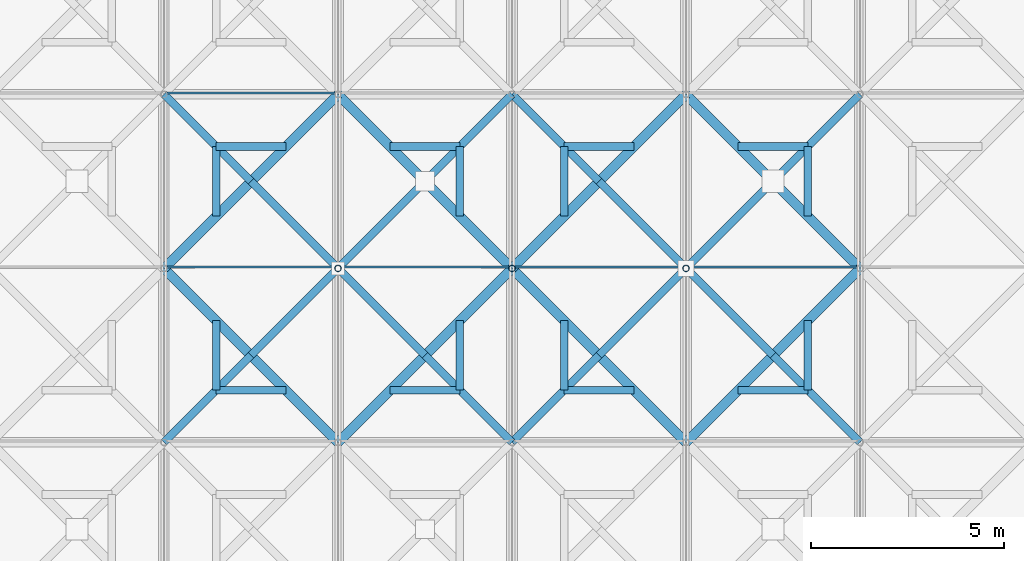
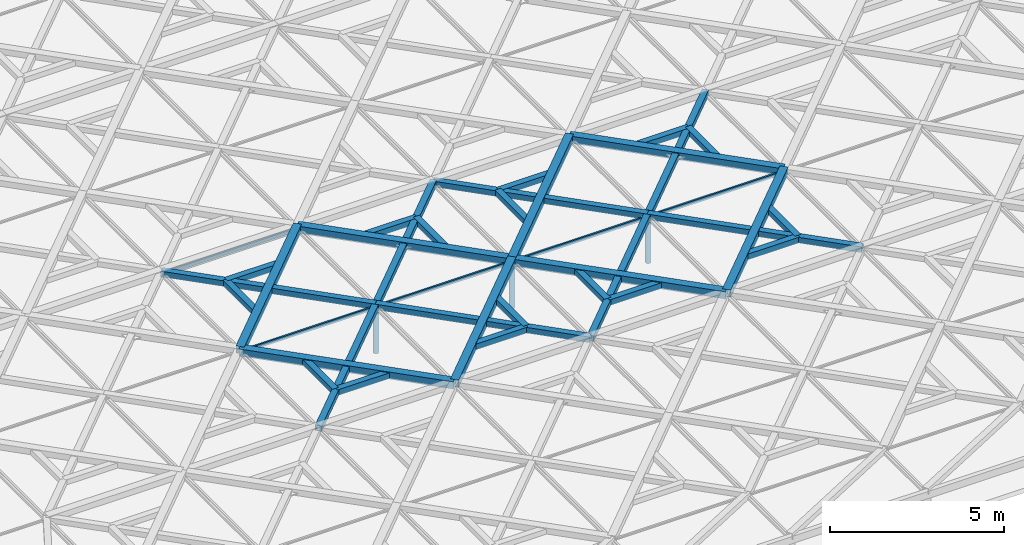
# One storey, part 25 of 80: 46 members, 4 elements without a shape of their own.
"""IFC4 building model written with IfcOpenShell, lengths in metres."""

from ifc_helpers import new_model, si_unit, direction, frame, origin, origin_2d, place, context, subcontext, project, spatial, rectangle, hollow_rectangle, hollow_circle, extrude, material, material_profile, profile_set, type_object, element, aggregate, save


model = new_model("IFC4")

# Units and contexts
model_context = context("Model", 3, precision=1e-05, world=origin(), true_north=direction((0.0, 1.0)))
body_context = subcontext(model_context, "Body", "Model", "MODEL_VIEW")
ifc_project = project(units=[si_unit("LENGTHUNIT", "METRE"), si_unit("AREAUNIT", "SQUARE_METRE"), si_unit("VOLUMEUNIT", "CUBIC_METRE"), si_unit("PLANEANGLEUNIT", "RADIAN"), si_unit("MASSUNIT", "GRAM", prefix="KILO"), si_unit("THERMODYNAMICTEMPERATUREUNIT", "KELVIN"), si_unit("POWERUNIT", "WATT")], contexts=[model_context])

# Site, building, storey
site_placement = place(None, origin())
site = spatial("IfcSite", under=ifc_project, at=site_placement, CompositionType="ELEMENT")
building_placement = place(site_placement, origin())
building = spatial("IfcBuilding", under=site, at=building_placement, Name="Tallowbark Science Centre", CompositionType="ELEMENT")
storey_placement = place(building_placement, frame((0.0, 0.0, 25.949951171875)))
storey = spatial("IfcBuildingStorey", under=building, at=storey_placement, Name="ROOF", CompositionType="ELEMENT", Elevation=25.949951171875)

# Curtain wall, members
ifc_material_1 = material(Name="Blue-Tinted Laminated Low-E Skylight Glass", Category="glass")
curtain_wall_type = type_object("IfcCurtainWallType", Name="CW-SKY-ROOF", PredefinedType="NOTDEFINED", material=ifc_material_1)
curtain_wall_1_placement = place(storey_placement, origin())
curtain_wall_1 = element("IfcCurtainWall", 1, at=curtain_wall_1_placement, inside=storey, type_object=curtain_wall_type, Name="Exhibition Star-Screen Skylight Bay 4", PredefinedType="NOTDEFINED")
ifc_material_2 = material(Name="Anodised Architectural Aluminium Alloy 6063-T6", Category="aluminium")
ifc_material_profile_1 = material_profile(ifc_material_2, rectangle(XDim=0.054931640625, YDim=0.1201171875, at=origin_2d()), Name="ALU55x120")
ifc_profile_set_1 = profile_set([ifc_material_profile_1], Name="Anodised Architectural Aluminium Alloy 6063-T6")
member_type_1 = type_object("IfcMemberType", Name="CWM-SKY-TRN", PredefinedType="USERDEFINED", material=ifc_profile_set_1)
member_1_placement = place(storey_placement, frame((67.580078125, 18.0400390625, 0.35205078125), z_axis=(1.0, 0.0, 0.0), x_axis=(0.0, 1.0, 0.0)))
member_1 = element("IfcMember", 2, at=member_1_placement, type_object=member_type_1, Name="Skylight Bay 4 Transom 5", ObjectType="TRANSOM", PredefinedType="USERDEFINED", context=body_context, shape_type="SweptSolid", body=[
    extrude(rectangle(XDim=0.054931640625, YDim=0.1201171875, at=origin_2d()), origin(), (0.0, 0.0, 1.0), 4.33984375),
])
member_2_placement = place(storey_placement, frame((67.580078125, 22.5400390625, 0.35205078125), z_axis=(1.0, 0.0, 0.0), x_axis=(0.0, 1.0, 0.0)))
member_2 = element("IfcMember", 3, at=member_2_placement, type_object=member_type_1, Name="Skylight Bay 4 Transom 6", ObjectType="TRANSOM", PredefinedType="USERDEFINED", context=body_context, shape_type="SweptSolid", body=[
    extrude(rectangle(XDim=0.054931640625, YDim=0.1201171875, at=origin_2d()), origin(), (0.0, 0.0, 1.0), 4.33984375),
])
aggregate(curtain_wall_1, [member_1, member_2])

# Curtain wall, member
curtain_wall_2_placement = place(storey_placement, origin())
curtain_wall_2 = element("IfcCurtainWall", 4, at=curtain_wall_2_placement, inside=storey, type_object=curtain_wall_type, Name="Exhibition Star-Screen Skylight Bay 5", PredefinedType="NOTDEFINED")
member_3_placement = place(storey_placement, frame((72.080078125, 18.0400390625, 0.35205078125), z_axis=(1.0, 0.0, 0.0), x_axis=(0.0, 1.0, 0.0)))
member_3 = element("IfcMember", 5, at=member_3_placement, type_object=member_type_1, Name="Skylight Bay 5 Transom 5", ObjectType="TRANSOM", PredefinedType="USERDEFINED", context=body_context, shape_type="SweptSolid", body=[
    extrude(rectangle(XDim=0.054931640625, YDim=0.1201171875, at=origin_2d()), origin(), (0.0, 0.0, 1.0), 4.33984375),
])
aggregate(curtain_wall_2, [member_3])

curtain_wall_3_placement = place(storey_placement, origin())
curtain_wall_3 = element("IfcCurtainWall", 6, at=curtain_wall_3_placement, inside=storey, type_object=curtain_wall_type, Name="Exhibition Star-Screen Skylight Bay 6", PredefinedType="NOTDEFINED")
member_4_placement = place(storey_placement, frame((76.580078125, 18.0400390625, 0.35205078125), z_axis=(1.0, 0.0, 0.0), x_axis=(0.0, 1.0, 0.0)))
member_4 = element("IfcMember", 7, at=member_4_placement, type_object=member_type_1, Name="Skylight Bay 6 Transom 5", ObjectType="TRANSOM", PredefinedType="USERDEFINED", context=body_context, shape_type="SweptSolid", body=[
    extrude(rectangle(XDim=0.054931640625, YDim=0.1201171875, at=origin_2d()), origin(), (0.0, 0.0, 1.0), 4.33984375),
])
aggregate(curtain_wall_3, [member_4])

curtain_wall_4_placement = place(storey_placement, origin())
curtain_wall_4 = element("IfcCurtainWall", 8, at=curtain_wall_4_placement, inside=storey, type_object=curtain_wall_type, Name="Exhibition Star-Screen Skylight Bay 7", PredefinedType="NOTDEFINED")
member_5_placement = place(storey_placement, frame((81.080078125, 18.0400390625, 0.35205078125), z_axis=(1.0, 0.0, 0.0), x_axis=(0.0, 1.0, 0.0)))
member_5 = element("IfcMember", 9, at=member_5_placement, type_object=member_type_1, Name="Skylight Bay 7 Transom 5", ObjectType="TRANSOM", PredefinedType="USERDEFINED", context=body_context, shape_type="SweptSolid", body=[
    extrude(rectangle(XDim=0.054931640625, YDim=0.1201171875, at=origin_2d()), origin(), (0.0, 0.0, 1.0), 4.33984375),
])
aggregate(curtain_wall_4, [member_5])

# Members
ifc_material_3 = material(Name="White Architectural Painted Steel Grade C350L0 (350 MPa)", Category="steel")
ifc_material_profile_2 = material_profile(ifc_material_3, hollow_rectangle(XDim=0.25, YDim=0.25, WallThickness=0.009033203125, at=origin_2d()), Name="250x250x9.0SHS")
ifc_profile_set_2 = profile_set([ifc_material_profile_2], Name="White Architectural Painted Steel Grade C350L0 (350 MPa)")
member_type_2 = type_object("IfcMemberType", Name="SCR-CHD200", PredefinedType="CHORD", material=ifc_profile_set_2)
for number, where, z_axis, x_axis, name in (
    (10, (72.0, 13.5, 0.449951171875), (0.707106781187, 0.707106781187, 0.0), (-0.707106781187, 0.707106781187, 0.0), "Star Screen Octagram Diamond Chord TOP-59-1"),
    (11, (76.5, 18.0, 0.449951171875), (-0.707106781187, 0.707106781187, 0.0), (-0.707106781187, -0.707106781187, 0.0), "Star Screen Octagram Diamond Chord TOP-59-2"),
    (12, (72.0, 22.5, 0.449951171875), (-0.707106781187, -0.707106781187, 0.0), (0.707106781187, -0.707106781187, 0.0), "Star Screen Octagram Diamond Chord TOP-59-3"),
    (13, (67.5, 18.0, 0.449951171875), (0.707106781187, -0.707106781187, 0.0), (0.707106781187, 0.707106781187, 0.0), "Star Screen Octagram Diamond Chord TOP-59-4"),
    (14, (81.0, 13.5, 0.449951171875), (0.707106781187, 0.707106781187, 0.0), (-0.707106781187, 0.707106781187, 0.0), "Star Screen Octagram Diamond Chord TOP-63-1"),
    (15, (85.5, 18.0, 0.449951171875), (-0.707106781187, 0.707106781187, 0.0), (-0.707106781187, -0.707106781187, 0.0), "Star Screen Octagram Diamond Chord TOP-63-2"),
    (16, (81.0, 22.5, 0.449951171875), (-0.707106781187, -0.707106781187, 0.0), (0.707106781187, -0.707106781187, 0.0), "Star Screen Octagram Diamond Chord TOP-63-3"),
    (17, (76.5, 18.0, 0.449951171875), (0.707106781187, -0.707106781187, 0.0), (0.707106781187, 0.707106781187, 0.0), "Star Screen Octagram Diamond Chord TOP-63-4"),
):
    element("IfcMember", number, at=place(storey_placement, frame(where, z_axis=z_axis, x_axis=x_axis)), inside=storey, type_object=member_type_2, Name=name, PredefinedType="CHORD", context=body_context, shape_type="SweptSolid", body=[
        extrude(hollow_rectangle(XDim=0.25, YDim=0.25, WallThickness=0.009033203125, at=origin_2d()), origin(), (0.0, 0.0, 1.0), 6.364013671875),
    ])
ifc_material_profile_3 = material_profile(ifc_material_3, hollow_rectangle(XDim=0.199951171875, YDim=0.199951171875, WallThickness=0.009033203125, at=origin_2d()), Name="200x200x9.0SHS")
ifc_profile_set_3 = profile_set([ifc_material_profile_3], Name="White Architectural Painted Steel Grade C350L0 (350 MPa)")
member_type_3 = type_object("IfcMemberType", Name="SCR-STAR139", PredefinedType="BRACE", material=ifc_profile_set_3)
member_6_placement = place(storey_placement, frame((67.5, 13.5, 0.449951171875), z_axis=(0.707106781187, 0.707106781187, 0.0), x_axis=(-0.707106781187, 0.707106781187, 0.0)))
element("IfcMember", 18, at=member_6_placement, inside=storey, type_object=member_type_3, Name="Star Screen Continuous X-Diagonal D1A TOP-59", PredefinedType="BRACE", context=body_context, shape_type="SweptSolid", body=[
    extrude(hollow_rectangle(XDim=0.199951171875, YDim=0.199951171875, WallThickness=0.009033203125, at=origin_2d()), origin(), (0.0, 0.0, 1.0), 3.181884765625),
])
member_7_placement = place(storey_placement, frame((69.75, 15.75, 0.449951171875), z_axis=(0.707106781187, 0.707106781187, 0.0), x_axis=(-0.707106781187, 0.707106781187, 0.0)))
element("IfcMember", 19, at=member_7_placement, inside=storey, type_object=member_type_3, Name="Star Screen Continuous X-Diagonal D1M TOP-59", PredefinedType="BRACE", context=body_context, shape_type="SweptSolid", body=[
    extrude(hollow_rectangle(XDim=0.199951171875, YDim=0.199951171875, WallThickness=0.009033203125, at=origin_2d()), origin(), (0.0, 0.0, 1.0), 6.364013671875),
])
for number, where, z_axis, x_axis, name in (
    (20, (74.25, 20.25, 0.449951171875), (0.707106781187, 0.707106781187, 0.0), (-0.707106781187, 0.707106781187, 0.0), "Star Screen Continuous X-Diagonal D1B TOP-59"),
    (21, (67.5, 22.5, 0.449951171875), (0.707106781187, -0.707106781187, 0.0), (0.707106781187, 0.707106781187, 0.0), "Star Screen Split X-Diagonal D2A TOP-59"),
    (22, (69.75, 20.25, 0.449951171875), (0.707106781187, -0.707106781187, 0.0), (0.707106781187, 0.707106781187, 0.0), "Star Screen Split X-Diagonal D2B TOP-59"),
    (23, (72.0, 18.0, 0.449951171875), (0.707106781187, -0.707106781187, 0.0), (0.707106781187, 0.707106781187, 0.0), "Star Screen Split X-Diagonal D2C TOP-59"),
    (24, (74.25, 15.75, 0.449951171875), (0.707106781187, -0.707106781187, 0.0), (0.707106781187, 0.707106781187, 0.0), "Star Screen Split X-Diagonal D2D TOP-59"),
    (25, (76.5, 13.5, 0.449951171875), (0.707106781187, 0.707106781187, 0.0), (-0.707106781187, 0.707106781187, 0.0), "Star Screen Continuous X-Diagonal D1A TOP-63"),
):
    element("IfcMember", number, at=place(storey_placement, frame(where, z_axis=z_axis, x_axis=x_axis)), inside=storey, type_object=member_type_3, Name=name, PredefinedType="BRACE", context=body_context, shape_type="SweptSolid", body=[
        extrude(hollow_rectangle(XDim=0.199951171875, YDim=0.199951171875, WallThickness=0.009033203125, at=origin_2d()), origin(), (0.0, 0.0, 1.0), 3.181884765625),
    ])
member_8_placement = place(storey_placement, frame((78.75, 15.75, 0.449951171875), z_axis=(0.707106781187, 0.707106781187, 0.0), x_axis=(-0.707106781187, 0.707106781187, 0.0)))
element("IfcMember", 26, at=member_8_placement, inside=storey, type_object=member_type_3, Name="Star Screen Continuous X-Diagonal D1M TOP-63", PredefinedType="BRACE", context=body_context, shape_type="SweptSolid", body=[
    extrude(hollow_rectangle(XDim=0.199951171875, YDim=0.199951171875, WallThickness=0.009033203125, at=origin_2d()), origin(), (0.0, 0.0, 1.0), 6.364013671875),
])
for number, where, z_axis, x_axis, name in (
    (27, (83.25, 20.25, 0.449951171875), (0.707106781187, 0.707106781187, 0.0), (-0.707106781187, 0.707106781187, 0.0), "Star Screen Continuous X-Diagonal D1B TOP-63"),
    (28, (76.5, 22.5, 0.449951171875), (0.707106781187, -0.707106781187, 0.0), (0.707106781187, 0.707106781187, 0.0), "Star Screen Split X-Diagonal D2A TOP-63"),
    (29, (78.75, 20.25, 0.449951171875), (0.707106781187, -0.707106781187, 0.0), (0.707106781187, 0.707106781187, 0.0), "Star Screen Split X-Diagonal D2B TOP-63"),
    (30, (81.0, 18.0, 0.449951171875), (0.707106781187, -0.707106781187, 0.0), (0.707106781187, 0.707106781187, 0.0), "Star Screen Split X-Diagonal D2C TOP-63"),
    (31, (83.25, 15.75, 0.449951171875), (0.707106781187, -0.707106781187, 0.0), (0.707106781187, 0.707106781187, 0.0), "Star Screen Split X-Diagonal D2D TOP-63"),
):
    element("IfcMember", number, at=place(storey_placement, frame(where, z_axis=z_axis, x_axis=x_axis)), inside=storey, type_object=member_type_3, Name=name, PredefinedType="BRACE", context=body_context, shape_type="SweptSolid", body=[
        extrude(hollow_rectangle(XDim=0.199951171875, YDim=0.199951171875, WallThickness=0.009033203125, at=origin_2d()), origin(), (0.0, 0.0, 1.0), 3.181884765625),
    ])
ifc_material_profile_4 = material_profile(ifc_material_3, hollow_rectangle(XDim=0.199951171875, YDim=0.199951171875, WallThickness=0.009033203125, at=origin_2d()), Name="200x200x9.0SHS")
ifc_profile_set_4 = profile_set([ifc_material_profile_4], Name="White Architectural Painted Steel Grade C350L0 (350 MPa)")
member_type_4 = type_object("IfcMemberType", Name="SCR-SUB150", PredefinedType="BRACE", material=ifc_profile_set_4)
for number, where, z_axis, x_axis, name in (
    (32, (68.85009765625, 14.85009765625, 0.449951171875), (1.0, 0.0, 0.0), (0.0, 1.0, 0.0), "Star Screen Octagram Point Ray TOP-59-1"),
    (33, (68.85009765625, 14.85009765625, 0.449951171875), (0.0, 1.0, 0.0), (-1.0, 0.0, 0.0), "Star Screen Octagram Point Ray TOP-59-2"),
    (34, (75.14990234375, 14.85009765625, 0.449951171875), (-1.0, 0.0, 0.0), (0.0, -1.0, 0.0), "Star Screen Octagram Point Ray TOP-59-3"),
    (35, (75.14990234375, 14.85009765625, 0.449951171875), (0.0, 1.0, 0.0), (-1.0, 0.0, 0.0), "Star Screen Octagram Point Ray TOP-59-4"),
    (36, (75.14990234375, 21.14990234375, 0.449951171875), (-1.0, 0.0, 0.0), (0.0, -1.0, 0.0), "Star Screen Octagram Point Ray TOP-59-5"),
    (37, (75.14990234375, 21.14990234375, 0.449951171875), (0.0, -1.0, 0.0), (1.0, 0.0, 0.0), "Star Screen Octagram Point Ray TOP-59-6"),
    (38, (68.85009765625, 21.14990234375, 0.449951171875), (1.0, 0.0, 0.0), (0.0, 1.0, 0.0), "Star Screen Octagram Point Ray TOP-59-7"),
    (39, (68.85009765625, 21.14990234375, 0.449951171875), (0.0, -1.0, 0.0), (1.0, 0.0, 0.0), "Star Screen Octagram Point Ray TOP-59-8"),
    (40, (77.85009765625, 14.85009765625, 0.449951171875), (1.0, 0.0, 0.0), (0.0, 1.0, 0.0), "Star Screen Octagram Point Ray TOP-63-1"),
    (41, (77.85009765625, 14.85009765625, 0.449951171875), (0.0, 1.0, 0.0), (-1.0, 0.0, 0.0), "Star Screen Octagram Point Ray TOP-63-2"),
    (42, (84.14990234375, 14.85009765625, 0.449951171875), (-1.0, 0.0, 0.0), (0.0, -1.0, 0.0), "Star Screen Octagram Point Ray TOP-63-3"),
    (43, (84.14990234375, 14.85009765625, 0.449951171875), (0.0, 1.0, 0.0), (-1.0, 0.0, 0.0), "Star Screen Octagram Point Ray TOP-63-4"),
    (44, (84.14990234375, 21.14990234375, 0.449951171875), (-1.0, 0.0, 0.0), (0.0, -1.0, 0.0), "Star Screen Octagram Point Ray TOP-63-5"),
    (45, (84.14990234375, 21.14990234375, 0.449951171875), (0.0, -1.0, 0.0), (1.0, 0.0, 0.0), "Star Screen Octagram Point Ray TOP-63-6"),
    (46, (77.85009765625, 21.14990234375, 0.449951171875), (1.0, 0.0, 0.0), (0.0, 1.0, 0.0), "Star Screen Octagram Point Ray TOP-63-7"),
    (47, (77.85009765625, 21.14990234375, 0.449951171875), (0.0, -1.0, 0.0), (1.0, 0.0, 0.0), "Star Screen Octagram Point Ray TOP-63-8"),
):
    element("IfcMember", number, at=place(storey_placement, frame(where, z_axis=z_axis, x_axis=x_axis)), inside=storey, type_object=member_type_4, Name=name, PredefinedType="BRACE", context=body_context, shape_type="SweptSolid", body=[
        extrude(hollow_rectangle(XDim=0.199951171875, YDim=0.199951171875, WallThickness=0.009033203125, at=origin_2d()), origin(), (0.0, 0.0, 1.0), 1.7998046875),
    ])
ifc_material_profile_5 = material_profile(ifc_material_3, hollow_circle(Radius=0.084228515625, WallThickness=0.007080078125, at=origin_2d()), Name="168.3x7.1CHS")
ifc_profile_set_5 = profile_set([ifc_material_profile_5], Name="White Architectural Painted Steel Grade C350L0 (350 MPa)")
member_type_5 = type_object("IfcMemberType", Name="TR-WEB168", PredefinedType="BRACE", material=ifc_profile_set_5)
for number, where, z_axis, x_axis, name in (
    (48, (72.0, 18.0, -1.199951171875), (0.0, 0.0, 1.0), (1.0, 0.0, 0.0), "Exhibition Roof Truss Web 4-18"),
    (49, (76.5, 18.0, -1.199951171875), (0.0, 0.0, 1.0), (1.0, 0.0, 0.0), "Exhibition Roof Truss Web 5-18"),
    (50, (81.0, 18.0, -1.199951171875), (0.0, 0.0, 1.0), (1.0, 0.0, 0.0), "Exhibition Roof Truss Web 6-18"),
):
    element("IfcMember", number, at=place(storey_placement, frame(where, z_axis=z_axis, x_axis=x_axis)), inside=storey, type_object=member_type_5, Name=name, PredefinedType="BRACE", context=body_context, shape_type="SweptSolid", body=[
        extrude(hollow_circle(Radius=0.084228515625, WallThickness=0.007080078125, at=origin_2d()), origin(), (0.0, 0.0, 1.0), 1.389892578125),
    ])

save(model, "model.ifc")
